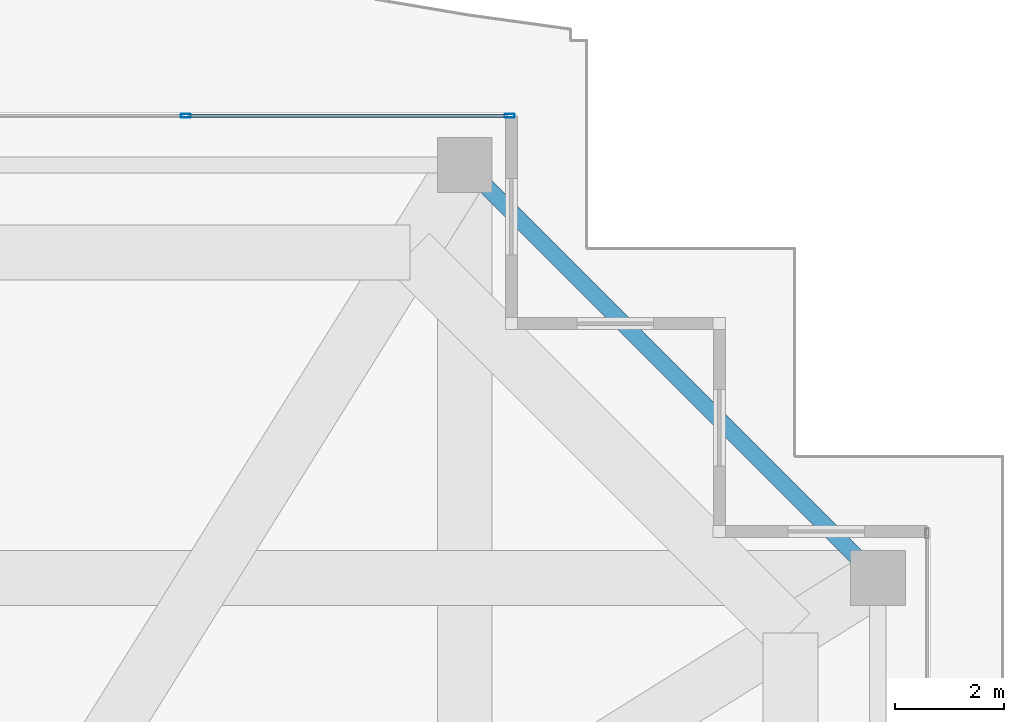
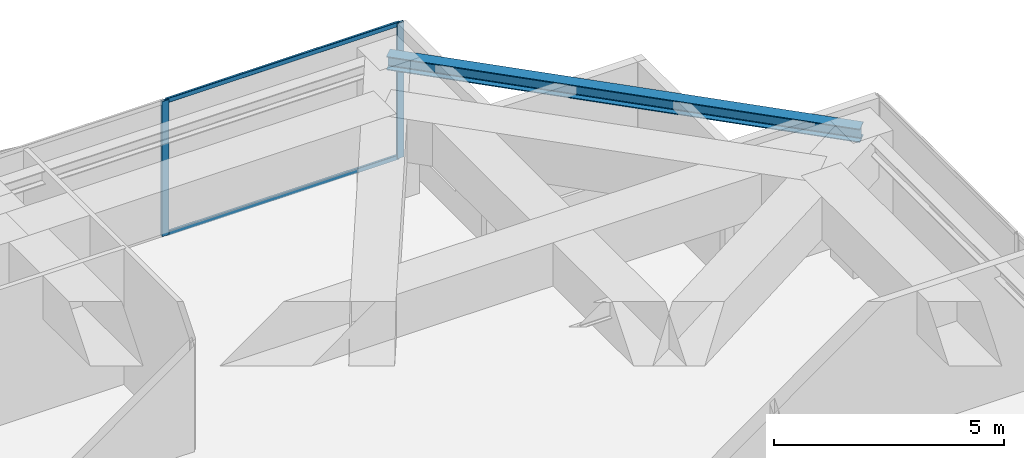
# One storey, part 26 of 40: 4 members, 1 beam, 1 element without a shape of its own.
"""IFC4 building model written with IfcOpenShell, lengths in metres."""

from ifc_helpers import new_model, si_unit, direction, frame, origin, origin_2d, place, context, subcontext, project, spatial, hollow_rectangle, i_section, extrude, source, transform, mapped, material, layer, layer_set, material_profile, profile_set, type_object, element, aggregate, save


model = new_model("IFC4")

# Units and contexts
model_context = context("Model", 3, precision=1e-05, world=origin(), true_north=direction((0.0, 1.0)))
body_context = subcontext(model_context, "Body", "Model", "MODEL_VIEW")
ifc_project = project(units=[si_unit("LENGTHUNIT", "METRE"), si_unit("AREAUNIT", "SQUARE_METRE"), si_unit("VOLUMEUNIT", "CUBIC_METRE"), si_unit("PLANEANGLEUNIT", "RADIAN"), si_unit("MASSUNIT", "GRAM", prefix="KILO")], contexts=[model_context])

# Site, building, storey
site_placement = place(None, origin())
site = spatial("IfcSite", under=ifc_project, at=site_placement, CompositionType="ELEMENT")
building_placement = place(site_placement, origin())
building = spatial("IfcBuilding", under=site, at=building_placement, Name="Serunith Strait Residences", CompositionType="ELEMENT")
storey_placement = place(building_placement, frame((0.0, 0.0, 333.949951171875)))
storey = spatial("IfcBuildingStorey", under=building, at=storey_placement, Name="L83", CompositionType="ELEMENT", Elevation=333.949951171875)

# Beam
ifc_material_1 = material(Name="Steel S355J2", Category="steel")
ifc_material_profile_1 = material_profile(ifc_material_1, i_section(OverallWidth=0.300048828125, OverallDepth=0.360107421875, WebThickness=0.012451171875, FlangeThickness=0.0224609375, FilletRadius=0.027099609375, at=origin_2d()), Name="HEB 360")
ifc_profile_set_1 = profile_set([ifc_material_profile_1], Name="Steel S355J2")
beam_type = type_object("IfcBeamType", Name="BM-HEB360", PredefinedType="BEAM", material=ifc_profile_set_1)
shared_shape_1 = source(origin(), body_context, "Body", "SweptSolid", [
    extrude(i_section(OverallWidth=0.300048828125, OverallDepth=0.360107421875, WebThickness=0.012451171875, FlangeThickness=0.0224609375, FilletRadius=0.027099609375, at=origin_2d()), origin(), (0.0, 0.0, 1.0), 10.677490234375),
])
beam_placement = place(storey_placement, frame((54.699951171875, 39.550048828125, 3.427001953125), z_axis=(-0.707106781187, 0.707106781187, 0.0), x_axis=(-0.707106781187, -0.707106781187, 0.0)))
element("IfcBeam", 1, at=beam_placement, inside=storey, type_object=beam_type, Name="L83 Perimeter Ring Beam 08", PredefinedType="BEAM", context=body_context, shape_type="MappedRepresentation", body=[
    mapped(shared_shape_1, transform((0.0, 0.0, 0.0), scale=1.0)),
])

# Curtain wall, members
ifc_material_2 = material(Name="Brushed Stainless-Silver Aluminium", Category="aluminium")
ifc_layer = layer(ifc_material_2, 0.199951171875, Name="Brushed Stainless-Silver Aluminium")
ifc_layer_set = layer_set([ifc_layer], Name="Brushed Stainless-Silver Aluminium")
curtain_wall_type = type_object("IfcCurtainWallType", Name="CW-SYS5", PredefinedType="NOTDEFINED", material=ifc_layer_set)
curtain_wall_placement = place(storey_placement, origin())
curtain_wall = element("IfcCurtainWall", 2, at=curtain_wall_placement, inside=storey, type_object=curtain_wall_type, Name="L83 N Unitised Fritted Curtain Wall", PredefinedType="NOTDEFINED")
ifc_material_profile_2 = material_profile(ifc_material_2, hollow_rectangle(XDim=0.06005859375, YDim=0.1201171875, WallThickness=0.00341796875, InnerFilletRadius=0.00537109375, OuterFilletRadius=0.0087890625, at=origin_2d()), Name="ALU 120x60x3.5")
ifc_profile_set_2 = profile_set([ifc_material_profile_2], Name="Brushed Stainless-Silver Aluminium")
member_type_1 = type_object("IfcMemberType", Name="CW-SYS5-TRAN", PredefinedType="USERDEFINED", material=ifc_profile_set_2)
shared_shape_2 = source(origin(), body_context, "Body", "SweptSolid", [
    extrude(hollow_rectangle(XDim=0.06005859375, YDim=0.1201171875, WallThickness=0.00341796875, InnerFilletRadius=0.00537109375, OuterFilletRadius=0.0087890625, at=origin_2d()), origin(), (0.0, 0.0, 1.0), 5.8525390625),
])
member_1_placement = place(storey_placement, frame((47.93505859375, 48.0, 0.030029296875), z_axis=(-1.0, 0.0, 0.0), x_axis=(0.0, -1.0, 0.0)))
member_1 = element("IfcMember", 3, at=member_1_placement, type_object=member_type_1, Name="CW-5 transom 1.1", ObjectType="TRANSOM", PredefinedType="USERDEFINED", context=body_context, shape_type="MappedRepresentation", body=[
    mapped(shared_shape_2, transform((0.0, 0.0, 0.0), scale=1.0)),
])
member_2_placement = place(storey_placement, frame((47.93505859375, 48.0, 3.56494140625), z_axis=(-1.0, 0.0, 0.0), x_axis=(0.0, -1.0, 0.0)))
member_2 = element("IfcMember", 4, at=member_2_placement, type_object=member_type_1, Name="CW-5 transom 1.2", ObjectType="TRANSOM", PredefinedType="USERDEFINED", context=body_context, shape_type="MappedRepresentation", body=[
    mapped(shared_shape_2, transform((0.0, 0.0, 0.0), scale=1.0)),
])
ifc_material_profile_3 = material_profile(ifc_material_2, hollow_rectangle(XDim=0.06494140625, YDim=0.179931640625, WallThickness=0.00341796875, InnerFilletRadius=0.00537109375, OuterFilletRadius=0.0087890625, at=origin_2d()), Name="ALU 180x65x3.5")
ifc_profile_set_3 = profile_set([ifc_material_profile_3], Name="Brushed Stainless-Silver Aluminium")
member_type_2 = type_object("IfcMemberType", Name="CW-SYS5-MULL", PredefinedType="MULLION", material=ifc_profile_set_3)
shared_shape_3 = source(origin(), body_context, "Body", "SweptSolid", [
    extrude(hollow_rectangle(XDim=0.06494140625, YDim=0.179931640625, WallThickness=0.00341796875, InnerFilletRadius=0.00537109375, OuterFilletRadius=0.0087890625, at=origin_2d()), origin(), (0.0, 0.0, 1.0), 3.594970703125),
])
member_3_placement = place(storey_placement, frame((47.967529296875, 48.0, 0.0), z_axis=(0.0, 0.0, 1.0), x_axis=(0.0, -1.0, 0.0)))
member_3 = element("IfcMember", 5, at=member_3_placement, type_object=member_type_2, Name="CW-5 mullion 1", PredefinedType="MULLION", context=body_context, shape_type="MappedRepresentation", body=[
    mapped(shared_shape_3, transform((0.0, 0.0, 0.0), scale=1.0)),
])
member_4_placement = place(storey_placement, frame((42.050048828125, 48.0, 0.0), z_axis=(0.0, 0.0, 1.0), x_axis=(0.0, -1.0, 0.0)))
member_4 = element("IfcMember", 6, at=member_4_placement, type_object=member_type_2, Name="CW-5 mullion 2", PredefinedType="MULLION", context=body_context, shape_type="MappedRepresentation", body=[
    mapped(shared_shape_3, transform((0.0, 0.0, 0.0), scale=1.0)),
])
aggregate(curtain_wall, [member_3, member_4, member_1, member_2])

save(model, "model.ifc")
